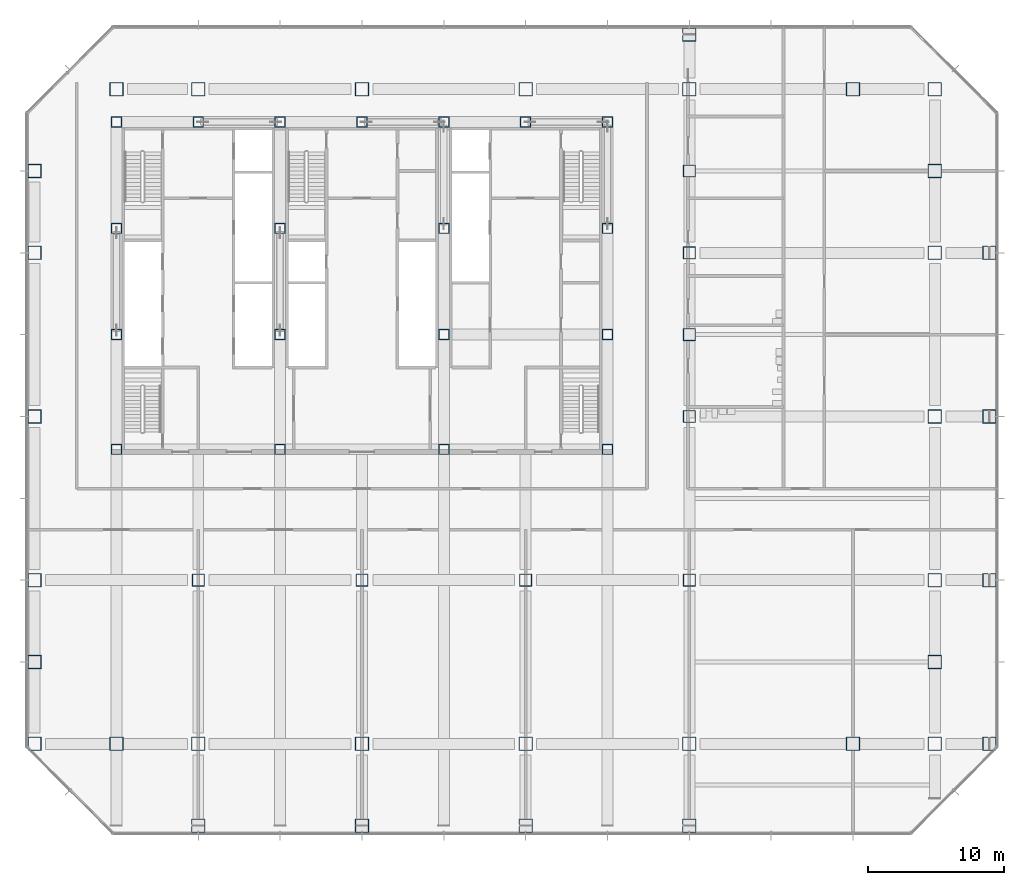
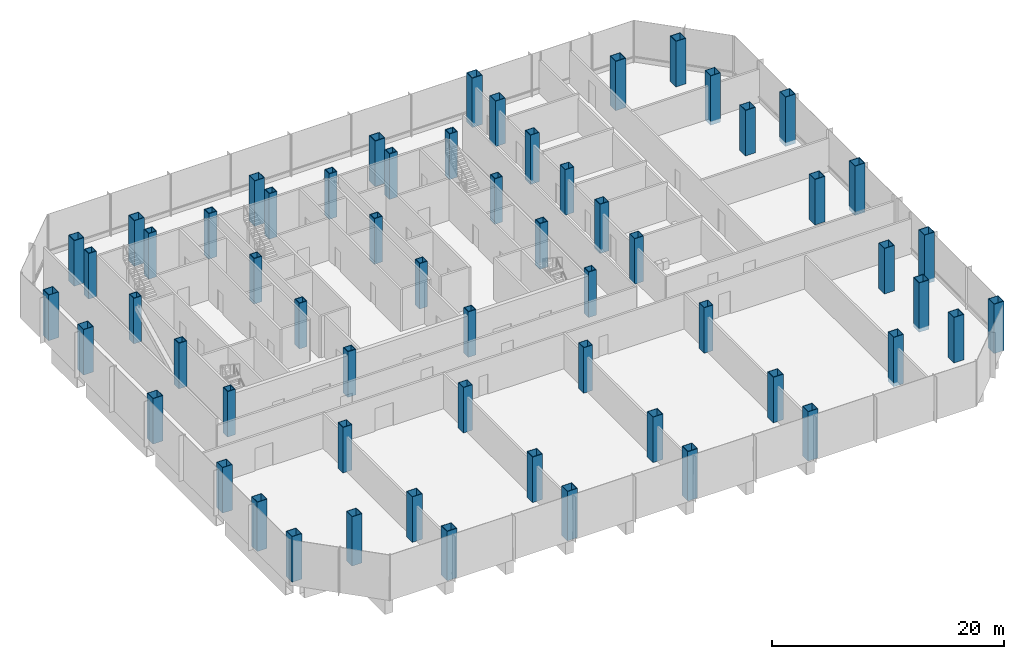
# One storey, part 1 of 34: 61 columns.
"""IFC4 building model written with IfcOpenShell, lengths in metres."""

from ifc_helpers import new_model, si_unit, direction, frame, origin, origin_with_axes, origin_2d, place, context, subcontext, project, spatial, hollow_rectangle, extrude, material, material_profile, profile_set, type_object, element, save


model = new_model("IFC4")

# Units and contexts
model_context = context("Model", 3, precision=1e-05, world=origin(), true_north=direction((0.0, 1.0)))
body_context = subcontext(model_context, "Body", "Model", "MODEL_VIEW")
ifc_project = project(units=[si_unit("LENGTHUNIT", "METRE"), si_unit("AREAUNIT", "SQUARE_METRE"), si_unit("VOLUMEUNIT", "CUBIC_METRE"), si_unit("PLANEANGLEUNIT", "RADIAN"), si_unit("MASSUNIT", "GRAM", prefix="KILO")], contexts=[model_context])

# Site, building, storey
site_placement = place(None, origin())
site = spatial("IfcSite", under=ifc_project, at=site_placement, CompositionType="ELEMENT")
building_placement = place(site_placement, origin())
building = spatial("IfcBuilding", under=site, at=building_placement, Name="Sorahane Residences", CompositionType="ELEMENT")
storey_placement = place(building_placement, frame((0.0, 0.0, 20.39990234375)))
storey = spatial("IfcBuildingStorey", under=building, at=storey_placement, Name="L02", CompositionType="ELEMENT", Elevation=20.39990234375)

# Columns
ifc_material_1 = material(Name="Steel Q420GJ", Category="steel")
ifc_material_profile_1 = material_profile(ifc_material_1, hollow_rectangle(XDim=1.0, YDim=1.0, WallThickness=0.050048828125, at=origin_2d()), Name="BOX 1000x1000x50")
ifc_profile_set_1 = profile_set([ifc_material_profile_1], Name="Steel Q420GJ")
column_type_1 = type_object("IfcColumnType", Name="Steel box column BOX 1000x1000x50 Q420GJ", PredefinedType="COLUMN", material=ifc_profile_set_1)
column_1_placement = place(storey_placement, origin_with_axes())
element("IfcColumn", 1, at=column_1_placement, inside=storey, type_object=column_type_1, Name="Column L02 0/0", PredefinedType="COLUMN", context=body_context, shape_type="SweptSolid", body=[
    extrude(hollow_rectangle(XDim=1.0, YDim=1.0, WallThickness=0.050048828125, at=origin_2d()), origin(), (0.0, 0.0, 1.0), 4.800048828125),
])
column_2_placement = place(storey_placement, frame((0.0, 6.0, -0.39990234375), z_axis=(0.0, 0.0, 1.0), x_axis=(1.0, 0.0, 0.0)))
element("IfcColumn", 2, at=column_2_placement, inside=storey, type_object=column_type_1, Name="Column L02 m0/6", PredefinedType="COLUMN", context=body_context, shape_type="SweptSolid", body=[
    extrude(hollow_rectangle(XDim=1.0, YDim=1.0, WallThickness=0.050048828125, at=origin_2d()), origin(), (0.0, 0.0, 1.0), 5.199951171875),
])
for number, where, z_axis, x_axis, name in (
    (3, (0.0, 12.0, 0.0), (0.0, 0.0, 1.0), (1.0, 0.0, 0.0), "Column L02 m0/12"),
    (4, (0.0, 24.0, 0.0), (0.0, 0.0, 1.0), (1.0, 0.0, 0.0), "Column L02 m0/24"),
    (5, (0.0, 36.0, 0.0), (0.0, 0.0, 1.0), (1.0, 0.0, 0.0), "Column L02 m0/36"),
    (6, (0.0, 42.0, 0.0), (0.0, 0.0, 1.0), (1.0, 0.0, 0.0), "Column L02 m0/42"),
):
    element("IfcColumn", number, at=place(storey_placement, frame(where, z_axis=z_axis, x_axis=x_axis)), inside=storey, type_object=column_type_1, Name=name, PredefinedType="COLUMN", context=body_context, shape_type="SweptSolid", body=[
        extrude(hollow_rectangle(XDim=1.0, YDim=1.0, WallThickness=0.050048828125, at=origin_2d()), origin(), (0.0, 0.0, 1.0), 4.800048828125),
    ])
column_3_placement = place(storey_placement, frame((6.0, 0.0, -0.39990234375), z_axis=(0.0, 0.0, 1.0), x_axis=(1.0, 0.0, 0.0)))
element("IfcColumn", 7, at=column_3_placement, inside=storey, type_object=column_type_1, Name="Column L02 6/0", PredefinedType="COLUMN", context=body_context, shape_type="SweptSolid", body=[
    extrude(hollow_rectangle(XDim=1.0, YDim=1.0, WallThickness=0.050048828125, at=origin_2d()), origin(), (0.0, 0.0, 1.0), 5.199951171875),
])
column_4_placement = place(storey_placement, frame((6.0, 48.0, 0.0), z_axis=(0.0, 0.0, 1.0), x_axis=(1.0, 0.0, 0.0)))
element("IfcColumn", 8, at=column_4_placement, inside=storey, type_object=column_type_1, Name="Column L02 6/48", PredefinedType="COLUMN", context=body_context, shape_type="SweptSolid", body=[
    extrude(hollow_rectangle(XDim=1.0, YDim=1.0, WallThickness=0.050048828125, at=origin_2d()), origin(), (0.0, 0.0, 1.0), 4.800048828125),
])
column_5_placement = place(storey_placement, frame((12.0, -6.0, -0.39990234375), z_axis=(0.0, 0.0, 1.0), x_axis=(1.0, 0.0, 0.0)))
element("IfcColumn", 9, at=column_5_placement, inside=storey, type_object=column_type_1, Name="Column L02 12/m6", PredefinedType="COLUMN", context=body_context, shape_type="SweptSolid", body=[
    extrude(hollow_rectangle(XDim=1.0, YDim=1.0, WallThickness=0.050048828125, at=origin_2d()), origin(), (0.0, 0.0, 1.0), 5.199951171875),
])
for number, where, z_axis, x_axis, name in (
    (10, (12.0, 0.0, 0.0), (0.0, 0.0, 1.0), (1.0, 0.0, 0.0), "Column L02 12/0"),
    (11, (12.0, 48.0, 0.0), (0.0, 0.0, 1.0), (1.0, 0.0, 0.0), "Column L02 12/48"),
):
    element("IfcColumn", number, at=place(storey_placement, frame(where, z_axis=z_axis, x_axis=x_axis)), inside=storey, type_object=column_type_1, Name=name, PredefinedType="COLUMN", context=body_context, shape_type="SweptSolid", body=[
        extrude(hollow_rectangle(XDim=1.0, YDim=1.0, WallThickness=0.050048828125, at=origin_2d()), origin(), (0.0, 0.0, 1.0), 4.800048828125),
    ])
column_6_placement = place(storey_placement, frame((24.0, -6.0, -0.39990234375), z_axis=(0.0, 0.0, 1.0), x_axis=(1.0, 0.0, 0.0)))
element("IfcColumn", 12, at=column_6_placement, inside=storey, type_object=column_type_1, Name="Column L02 24/m6", PredefinedType="COLUMN", context=body_context, shape_type="SweptSolid", body=[
    extrude(hollow_rectangle(XDim=1.0, YDim=1.0, WallThickness=0.050048828125, at=origin_2d()), origin(), (0.0, 0.0, 1.0), 5.199951171875),
])
for number, where, z_axis, x_axis, name in (
    (13, (24.0, 0.0, 0.0), (0.0, 0.0, 1.0), (1.0, 0.0, 0.0), "Column L02 24/0"),
    (14, (24.0, 48.0, 0.0), (0.0, 0.0, 1.0), (1.0, 0.0, 0.0), "Column L02 24/48"),
):
    element("IfcColumn", number, at=place(storey_placement, frame(where, z_axis=z_axis, x_axis=x_axis)), inside=storey, type_object=column_type_1, Name=name, PredefinedType="COLUMN", context=body_context, shape_type="SweptSolid", body=[
        extrude(hollow_rectangle(XDim=1.0, YDim=1.0, WallThickness=0.050048828125, at=origin_2d()), origin(), (0.0, 0.0, 1.0), 4.800048828125),
    ])
column_7_placement = place(storey_placement, frame((36.0, -6.0, -0.39990234375), z_axis=(0.0, 0.0, 1.0), x_axis=(1.0, 0.0, 0.0)))
element("IfcColumn", 15, at=column_7_placement, inside=storey, type_object=column_type_1, Name="Column L02 36/m6", PredefinedType="COLUMN", context=body_context, shape_type="SweptSolid", body=[
    extrude(hollow_rectangle(XDim=1.0, YDim=1.0, WallThickness=0.050048828125, at=origin_2d()), origin(), (0.0, 0.0, 1.0), 5.199951171875),
])
for number, where, z_axis, x_axis, name in (
    (16, (36.0, 0.0, 0.0), (0.0, 0.0, 1.0), (1.0, 0.0, 0.0), "Column L02 36/0"),
    (17, (36.0, 48.0, 0.0), (0.0, 0.0, 1.0), (1.0, 0.0, 0.0), "Column L02 36/48"),
):
    element("IfcColumn", number, at=place(storey_placement, frame(where, z_axis=z_axis, x_axis=x_axis)), inside=storey, type_object=column_type_1, Name=name, PredefinedType="COLUMN", context=body_context, shape_type="SweptSolid", body=[
        extrude(hollow_rectangle(XDim=1.0, YDim=1.0, WallThickness=0.050048828125, at=origin_2d()), origin(), (0.0, 0.0, 1.0), 4.800048828125),
    ])
column_8_placement = place(storey_placement, frame((48.0, -6.0, -0.39990234375), z_axis=(0.0, 0.0, 1.0), x_axis=(1.0, 0.0, 0.0)))
element("IfcColumn", 18, at=column_8_placement, inside=storey, type_object=column_type_1, Name="Column L02 48/m6", PredefinedType="COLUMN", context=body_context, shape_type="SweptSolid", body=[
    extrude(hollow_rectangle(XDim=1.0, YDim=1.0, WallThickness=0.050048828125, at=origin_2d()), origin(), (0.0, 0.0, 1.0), 5.199951171875),
])
for number, where, z_axis, x_axis, name in (
    (19, (48.0, 0.0, 0.0), (0.0, 0.0, 1.0), (1.0, 0.0, 0.0), "Column L02 48/0"),
    (20, (48.0, 48.0, 0.0), (0.0, 0.0, 1.0), (1.0, 0.0, 0.0), "Column L02 48/48"),
):
    element("IfcColumn", number, at=place(storey_placement, frame(where, z_axis=z_axis, x_axis=x_axis)), inside=storey, type_object=column_type_1, Name=name, PredefinedType="COLUMN", context=body_context, shape_type="SweptSolid", body=[
        extrude(hollow_rectangle(XDim=1.0, YDim=1.0, WallThickness=0.050048828125, at=origin_2d()), origin(), (0.0, 0.0, 1.0), 4.800048828125),
    ])
for number, where, z_axis, x_axis, name in (
    (21, (48.0, 52.0, -0.39990234375), (0.0, 0.0, 1.0), (1.0, 0.0, 0.0), "Column L02 48/52"),
    (22, (60.0, 0.0, -0.39990234375), (0.0, 0.0, 1.0), (1.0, 0.0, 0.0), "Column L02 60/0"),
    (23, (60.0, 48.0, -0.39990234375), (0.0, 0.0, 1.0), (1.0, 0.0, 0.0), "Column L02 60/48"),
):
    element("IfcColumn", number, at=place(storey_placement, frame(where, z_axis=z_axis, x_axis=x_axis)), inside=storey, type_object=column_type_1, Name=name, PredefinedType="COLUMN", context=body_context, shape_type="SweptSolid", body=[
        extrude(hollow_rectangle(XDim=1.0, YDim=1.0, WallThickness=0.050048828125, at=origin_2d()), origin(), (0.0, 0.0, 1.0), 5.199951171875),
    ])
column_9_placement = place(storey_placement, frame((66.0, 0.0, 0.0), z_axis=(0.0, 0.0, 1.0), x_axis=(1.0, 0.0, 0.0)))
element("IfcColumn", 24, at=column_9_placement, inside=storey, type_object=column_type_1, Name="Column L02 66/0", PredefinedType="COLUMN", context=body_context, shape_type="SweptSolid", body=[
    extrude(hollow_rectangle(XDim=1.0, YDim=1.0, WallThickness=0.050048828125, at=origin_2d()), origin(), (0.0, 0.0, 1.0), 4.800048828125),
])
column_10_placement = place(storey_placement, frame((66.0, 6.0, -0.39990234375), z_axis=(0.0, 0.0, 1.0), x_axis=(1.0, 0.0, 0.0)))
element("IfcColumn", 25, at=column_10_placement, inside=storey, type_object=column_type_1, Name="Column L02 66/6", PredefinedType="COLUMN", context=body_context, shape_type="SweptSolid", body=[
    extrude(hollow_rectangle(XDim=1.0, YDim=1.0, WallThickness=0.050048828125, at=origin_2d()), origin(), (0.0, 0.0, 1.0), 5.199951171875),
])
for number, where, z_axis, x_axis, name in (
    (26, (66.0, 12.0, 0.0), (0.0, 0.0, 1.0), (1.0, 0.0, 0.0), "Column L02 66/12"),
    (27, (66.0, 24.0, 0.0), (0.0, 0.0, 1.0), (1.0, 0.0, 0.0), "Column L02 66/24"),
    (28, (66.0, 36.0, 0.0), (0.0, 0.0, 1.0), (1.0, 0.0, 0.0), "Column L02 66/36"),
):
    element("IfcColumn", number, at=place(storey_placement, frame(where, z_axis=z_axis, x_axis=x_axis)), inside=storey, type_object=column_type_1, Name=name, PredefinedType="COLUMN", context=body_context, shape_type="SweptSolid", body=[
        extrude(hollow_rectangle(XDim=1.0, YDim=1.0, WallThickness=0.050048828125, at=origin_2d()), origin(), (0.0, 0.0, 1.0), 4.800048828125),
    ])
column_11_placement = place(storey_placement, frame((66.0, 42.0, -0.39990234375), z_axis=(0.0, 0.0, 1.0), x_axis=(1.0, 0.0, 0.0)))
element("IfcColumn", 29, at=column_11_placement, inside=storey, type_object=column_type_1, Name="Column L02 66/42", PredefinedType="COLUMN", context=body_context, shape_type="SweptSolid", body=[
    extrude(hollow_rectangle(XDim=1.0, YDim=1.0, WallThickness=0.050048828125, at=origin_2d()), origin(), (0.0, 0.0, 1.0), 5.199951171875),
])
column_12_placement = place(storey_placement, frame((66.0, 48.0, 0.0), z_axis=(0.0, 0.0, 1.0), x_axis=(1.0, 0.0, 0.0)))
element("IfcColumn", 30, at=column_12_placement, inside=storey, type_object=column_type_1, Name="Column L02 66/48", PredefinedType="COLUMN", context=body_context, shape_type="SweptSolid", body=[
    extrude(hollow_rectangle(XDim=1.0, YDim=1.0, WallThickness=0.050048828125, at=origin_2d()), origin(), (0.0, 0.0, 1.0), 4.800048828125),
])
for number, where, z_axis, x_axis, name in (
    (31, (70.0, 0.0, -0.39990234375), (0.0, 0.0, 1.0), (1.0, 0.0, 0.0), "Column L02 70/0"),
    (32, (70.0, 12.0, -0.39990234375), (0.0, 0.0, 1.0), (1.0, 0.0, 0.0), "Column L02 70/12"),
    (33, (70.0, 24.0, -0.39990234375), (0.0, 0.0, 1.0), (1.0, 0.0, 0.0), "Column L02 70/24"),
    (34, (70.0, 36.0, -0.39990234375), (0.0, 0.0, 1.0), (1.0, 0.0, 0.0), "Column L02 70/36"),
):
    element("IfcColumn", number, at=place(storey_placement, frame(where, z_axis=z_axis, x_axis=x_axis)), inside=storey, type_object=column_type_1, Name=name, PredefinedType="COLUMN", context=body_context, shape_type="SweptSolid", body=[
        extrude(hollow_rectangle(XDim=1.0, YDim=1.0, WallThickness=0.050048828125, at=origin_2d()), origin(), (0.0, 0.0, 1.0), 5.199951171875),
    ])
ifc_material_2 = material(Name="Steel Q420GJ", Category="steel")
ifc_material_profile_2 = material_profile(ifc_material_2, hollow_rectangle(XDim=0.800048828125, YDim=0.800048828125, WallThickness=0.070068359375, at=origin_2d()), Name="BOX 800x800x70")
ifc_profile_set_2 = profile_set([ifc_material_profile_2], Name="Steel Q420GJ")
column_type_2 = type_object("IfcColumnType", Name="Steel box column BOX 800x800x70 Q420GJ", PredefinedType="COLUMN", material=ifc_profile_set_2)
for number, where, z_axis, x_axis, name in (
    (35, (6.0, 21.60009765625, 0.0), (0.0, 0.0, 1.0), (1.0, 0.0, 0.0), "Column L02 6/21.6"),
    (36, (6.0, 30.0, 0.0), (0.0, 0.0, 1.0), (1.0, 0.0, 0.0), "Column L02 6/30"),
    (37, (6.0, 37.800048828125, 0.0), (0.0, 0.0, 1.0), (1.0, 0.0, 0.0), "Column L02 6/37.8"),
    (38, (6.0, 45.60009765625, 0.0), (0.0, 0.0, 1.0), (1.0, 0.0, 0.0), "Column L02 6/45.6"),
    (39, (12.0, 45.60009765625, 0.0), (0.0, 0.0, 1.0), (1.0, 0.0, 0.0), "Column L02 12/45.6"),
    (40, (18.0, 21.60009765625, 0.0), (0.0, 0.0, 1.0), (1.0, 0.0, 0.0), "Column L02 18/21.6"),
    (41, (18.0, 30.0, 0.0), (0.0, 0.0, 1.0), (1.0, 0.0, 0.0), "Column L02 18/30"),
    (42, (18.0, 37.800048828125, 0.0), (0.0, 0.0, 1.0), (1.0, 0.0, 0.0), "Column L02 18/37.8"),
    (43, (18.0, 45.60009765625, 0.0), (0.0, 0.0, 1.0), (1.0, 0.0, 0.0), "Column L02 18/45.6"),
    (44, (24.0, 45.60009765625, 0.0), (0.0, 0.0, 1.0), (1.0, 0.0, 0.0), "Column L02 24/45.6"),
    (45, (30.0, 21.60009765625, 0.0), (0.0, 0.0, 1.0), (1.0, 0.0, 0.0), "Column L02 30/21.6"),
    (46, (30.0, 30.0, 0.0), (0.0, 0.0, 1.0), (1.0, 0.0, 0.0), "Column L02 30/30"),
    (47, (30.0, 37.800048828125, 0.0), (0.0, 0.0, 1.0), (1.0, 0.0, 0.0), "Column L02 30/37.8"),
    (48, (30.0, 45.60009765625, 0.0), (0.0, 0.0, 1.0), (1.0, 0.0, 0.0), "Column L02 30/45.6"),
    (49, (36.0, 45.60009765625, 0.0), (0.0, 0.0, 1.0), (1.0, 0.0, 0.0), "Column L02 36/45.6"),
    (50, (42.0, 21.60009765625, 0.0), (0.0, 0.0, 1.0), (1.0, 0.0, 0.0), "Column L02 42/21.6"),
    (51, (42.0, 30.0, 0.0), (0.0, 0.0, 1.0), (1.0, 0.0, 0.0), "Column L02 42/30"),
    (52, (42.0, 37.800048828125, 0.0), (0.0, 0.0, 1.0), (1.0, 0.0, 0.0), "Column L02 42/37.8"),
    (53, (42.0, 45.60009765625, 0.0), (0.0, 0.0, 1.0), (1.0, 0.0, 0.0), "Column L02 42/45.6"),
):
    element("IfcColumn", number, at=place(storey_placement, frame(where, z_axis=z_axis, x_axis=x_axis)), inside=storey, type_object=column_type_2, Name=name, PredefinedType="COLUMN", context=body_context, shape_type="SweptSolid", body=[
        extrude(hollow_rectangle(XDim=0.800048828125, YDim=0.800048828125, WallThickness=0.070068359375, at=origin_2d()), origin(), (0.0, 0.0, 1.0), 4.800048828125),
    ])
ifc_material_3 = material(Name="Steel Q420GJ", Category="steel")
ifc_material_profile_3 = material_profile(ifc_material_3, hollow_rectangle(XDim=0.89990234375, YDim=0.89990234375, WallThickness=0.044921875, at=origin_2d()), Name="BOX 900x900x45")
ifc_profile_set_3 = profile_set([ifc_material_profile_3], Name="Steel Q420GJ")
column_type_3 = type_object("IfcColumnType", Name="Steel box column BOX 900x900x45 Q420GJ", PredefinedType="COLUMN", material=ifc_profile_set_3)
for number, where, z_axis, x_axis, name in (
    (54, (12.0, 12.0, 0.0), (0.0, 0.0, 1.0), (1.0, 0.0, 0.0), "Column L02 12/12"),
    (55, (24.0, 12.0, 0.0), (0.0, 0.0, 1.0), (1.0, 0.0, 0.0), "Column L02 24/12"),
    (56, (36.0, 12.0, 0.0), (0.0, 0.0, 1.0), (1.0, 0.0, 0.0), "Column L02 36/12"),
    (57, (48.0, 12.0, 0.0), (0.0, 0.0, 1.0), (1.0, 0.0, 0.0), "Column L02 48/12"),
    (58, (48.0, 24.0, 0.0), (0.0, 0.0, 1.0), (1.0, 0.0, 0.0), "Column L02 48/24"),
):
    element("IfcColumn", number, at=place(storey_placement, frame(where, z_axis=z_axis, x_axis=x_axis)), inside=storey, type_object=column_type_3, Name=name, PredefinedType="COLUMN", context=body_context, shape_type="SweptSolid", body=[
        extrude(hollow_rectangle(XDim=0.89990234375, YDim=0.89990234375, WallThickness=0.044921875, at=origin_2d()), origin(), (0.0, 0.0, 1.0), 4.800048828125),
    ])
column_13_placement = place(storey_placement, frame((48.0, 30.0, -0.39990234375), z_axis=(0.0, 0.0, 1.0), x_axis=(1.0, 0.0, 0.0)))
element("IfcColumn", 59, at=column_13_placement, inside=storey, type_object=column_type_3, Name="Column L02 48/30", PredefinedType="COLUMN", context=body_context, shape_type="SweptSolid", body=[
    extrude(hollow_rectangle(XDim=0.89990234375, YDim=0.89990234375, WallThickness=0.044921875, at=origin_2d()), origin(), (0.0, 0.0, 1.0), 5.199951171875),
])
column_14_placement = place(storey_placement, frame((48.0, 36.0, 0.0), z_axis=(0.0, 0.0, 1.0), x_axis=(1.0, 0.0, 0.0)))
element("IfcColumn", 60, at=column_14_placement, inside=storey, type_object=column_type_3, Name="Column L02 48/36", PredefinedType="COLUMN", context=body_context, shape_type="SweptSolid", body=[
    extrude(hollow_rectangle(XDim=0.89990234375, YDim=0.89990234375, WallThickness=0.044921875, at=origin_2d()), origin(), (0.0, 0.0, 1.0), 4.800048828125),
])
column_15_placement = place(storey_placement, frame((48.0, 42.0, -0.39990234375), z_axis=(0.0, 0.0, 1.0), x_axis=(1.0, 0.0, 0.0)))
element("IfcColumn", 61, at=column_15_placement, inside=storey, type_object=column_type_3, Name="Column L02 48/42", PredefinedType="COLUMN", context=body_context, shape_type="SweptSolid", body=[
    extrude(hollow_rectangle(XDim=0.89990234375, YDim=0.89990234375, WallThickness=0.044921875, at=origin_2d()), origin(), (0.0, 0.0, 1.0), 5.199951171875),
])

save(model, "model.ifc")
